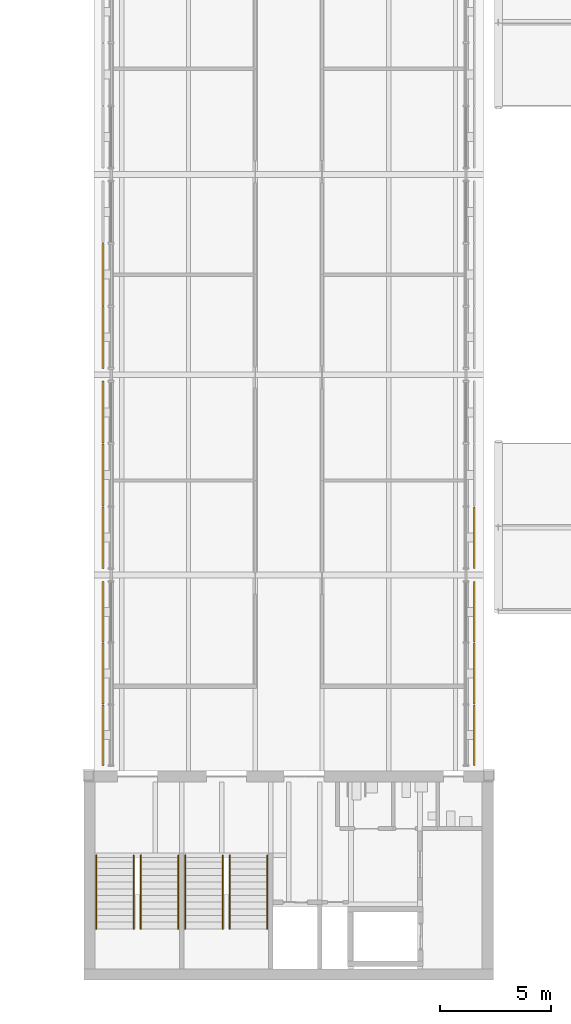
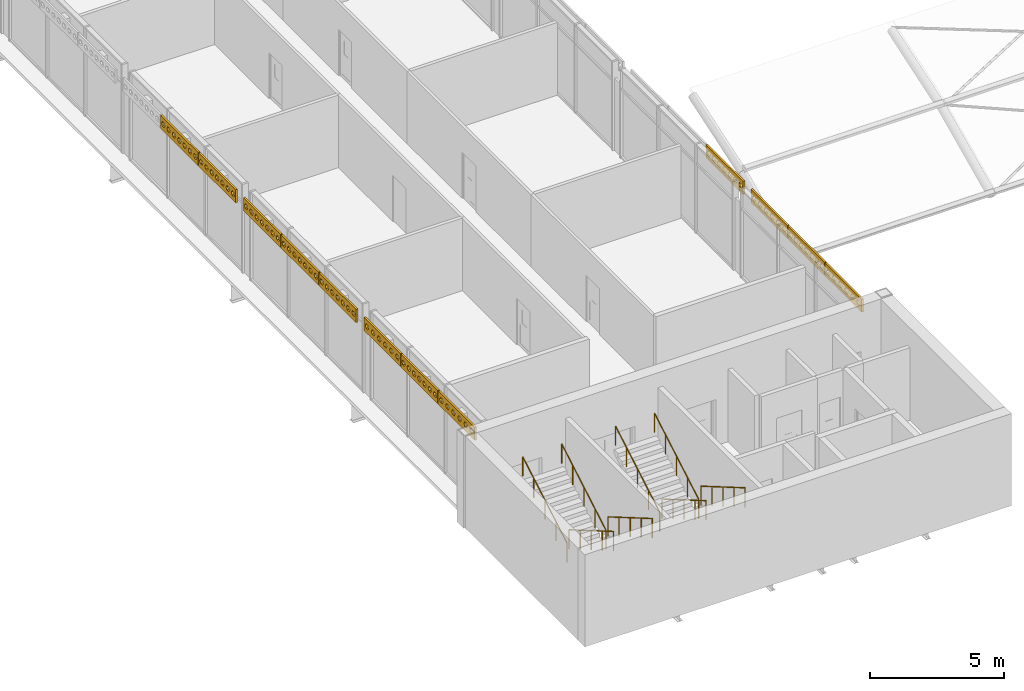
# One storey, part 43 of 54: 12 shading devices, 8 railings.
"""IFC4 building model written with IfcOpenShell, lengths in metres."""

from ifc_helpers import new_model, si_unit, direction, frame, origin, origin_2d, place, context, subcontext, project, spatial, polyline, circle, outline, extrude, material, layer, layer_set, type_object, element, save


model = new_model("IFC4")

# Units and contexts
model_context = context("Model", 3, precision=1e-05, world=origin(), true_north=direction((0.0, 1.0)))
body_context = subcontext(model_context, "Body", "Model", "MODEL_VIEW")
ifc_project = project(units=[si_unit("LENGTHUNIT", "METRE"), si_unit("AREAUNIT", "SQUARE_METRE"), si_unit("VOLUMEUNIT", "CUBIC_METRE"), si_unit("PLANEANGLEUNIT", "RADIAN"), si_unit("MASSUNIT", "GRAM", prefix="KILO")], contexts=[model_context])

# Site, building, storey
site_placement = place(None, origin())
site = spatial("IfcSite", under=ifc_project, at=site_placement, CompositionType="ELEMENT")
building_placement = place(site_placement, origin())
building = spatial("IfcBuilding", under=site, at=building_placement, Name="Baradari Gate Terminus", CompositionType="ELEMENT")
storey_placement = place(building_placement, frame((0.0, 0.0, 15.89990234375)))
storey = spatial("IfcBuildingStorey", under=building, at=storey_placement, Name="L03", CompositionType="ELEMENT", Elevation=15.89990234375)

# Railings
ifc_material_1 = material(Name="Stainless steel 1.4301", Category="steel")
railing_type = type_object("IfcRailingType", Name="Handrail HR-1 900", PredefinedType="HANDRAIL", material=ifc_material_1)
for number, where, name in (
    (1, (76.0400390625, 32.39990234375, 0.175048828125), "Handrail ST-GS1 L03 flight 1"),
    (2, (74.360107421875, 32.39990234375, 0.175048828125), "Handrail ST-GS1 L03 flight 1"),
):
    element("IfcRailing", number, at=place(storey_placement, frame(where)), inside=storey, type_object=railing_type, Name=name, PredefinedType="HANDRAIL", context=body_context, shape_type="SweptSolid", body=[
        extrude(circle(Radius=0.02392578125, at=origin_2d()), frame((0.0, 0.0, 0.8759765625), z_axis=(0.0, -0.863760357493, 0.503902812876), x_axis=(1.0, 0.0, 0.0)), (0.0, 0.0, 1.0), 3.8203125),
        extrude(circle(Radius=0.02099609375, at=origin_2d()), origin(), (0.0, 0.0, 1.0), 0.851806640625),
        extrude(circle(Radius=0.02099609375, at=origin_2d()), frame((0.0, -0.824951171875, 0.481201171875)), (0.0, 0.0, 1.0), 0.851806640625),
        extrude(circle(Radius=0.02099609375, at=origin_2d()), frame((0.0, -1.64990234375, 0.96240234375)), (0.0, 0.0, 1.0), 0.851806640625),
        extrude(circle(Radius=0.02099609375, at=origin_2d()), frame((0.0, -2.474853515625, 1.44384765625)), (0.0, 0.0, 1.0), 0.851806640625),
        extrude(circle(Radius=0.02099609375, at=origin_2d()), frame((0.0, -3.2998046875, 1.925048828125)), (0.0, 0.0, 1.0), 0.851806640625),
    ])
for number, where, name in (
    (3, (74.0400390625, 29.10009765625, 2.275146484375), "Handrail ST-GS1 L03 flight 2"),
    (4, (72.360107421875, 29.10009765625, 2.275146484375), "Handrail ST-GS1 L03 flight 2"),
):
    element("IfcRailing", number, at=place(storey_placement, frame(where)), inside=storey, type_object=railing_type, Name=name, PredefinedType="HANDRAIL", context=body_context, shape_type="SweptSolid", body=[
        extrude(circle(Radius=0.02392578125, at=origin_2d()), frame((0.0, 0.0, 0.8759765625), z_axis=(0.0, 0.863760357493, 0.503902812876), x_axis=(-1.0, 0.0, 0.0)), (0.0, 0.0, 1.0), 3.8203125),
        extrude(circle(Radius=0.02099609375, at=origin_2d()), origin(), (0.0, 0.0, 1.0), 0.851806640625),
        extrude(circle(Radius=0.02099609375, at=origin_2d()), frame((0.0, 0.824951171875, 0.481201171875)), (0.0, 0.0, 1.0), 0.851806640625),
        extrude(circle(Radius=0.02099609375, at=origin_2d()), frame((0.0, 1.64990234375, 0.96240234375)), (0.0, 0.0, 1.0), 0.851806640625),
        extrude(circle(Radius=0.02099609375, at=origin_2d()), frame((0.0, 2.474853515625, 1.44384765625)), (0.0, 0.0, 1.0), 0.851806640625),
        extrude(circle(Radius=0.02099609375, at=origin_2d()), frame((0.0, 3.2998046875, 1.925048828125)), (0.0, 0.0, 1.0), 0.851806640625),
    ])
for number, where, name in (
    (5, (80.0400390625, 32.39990234375, 0.175048828125), "Handrail ST-GS2 L03 flight 1"),
    (6, (78.360107421875, 32.39990234375, 0.175048828125), "Handrail ST-GS2 L03 flight 1"),
):
    element("IfcRailing", number, at=place(storey_placement, frame(where)), inside=storey, type_object=railing_type, Name=name, PredefinedType="HANDRAIL", context=body_context, shape_type="SweptSolid", body=[
        extrude(circle(Radius=0.02392578125, at=origin_2d()), frame((0.0, 0.0, 0.8759765625), z_axis=(0.0, -0.863760357493, 0.503902812876), x_axis=(1.0, 0.0, 0.0)), (0.0, 0.0, 1.0), 3.8203125),
        extrude(circle(Radius=0.02099609375, at=origin_2d()), origin(), (0.0, 0.0, 1.0), 0.851806640625),
        extrude(circle(Radius=0.02099609375, at=origin_2d()), frame((0.0, -0.824951171875, 0.481201171875)), (0.0, 0.0, 1.0), 0.851806640625),
        extrude(circle(Radius=0.02099609375, at=origin_2d()), frame((0.0, -1.64990234375, 0.96240234375)), (0.0, 0.0, 1.0), 0.851806640625),
        extrude(circle(Radius=0.02099609375, at=origin_2d()), frame((0.0, -2.474853515625, 1.44384765625)), (0.0, 0.0, 1.0), 0.851806640625),
        extrude(circle(Radius=0.02099609375, at=origin_2d()), frame((0.0, -3.2998046875, 1.925048828125)), (0.0, 0.0, 1.0), 0.851806640625),
    ])
for number, where, name in (
    (7, (78.0400390625, 29.10009765625, 2.275146484375), "Handrail ST-GS2 L03 flight 2"),
    (8, (76.360107421875, 29.10009765625, 2.275146484375), "Handrail ST-GS2 L03 flight 2"),
):
    element("IfcRailing", number, at=place(storey_placement, frame(where)), inside=storey, type_object=railing_type, Name=name, PredefinedType="HANDRAIL", context=body_context, shape_type="SweptSolid", body=[
        extrude(circle(Radius=0.02392578125, at=origin_2d()), frame((0.0, 0.0, 0.8759765625), z_axis=(0.0, 0.863760357493, 0.503902812876), x_axis=(-1.0, 0.0, 0.0)), (0.0, 0.0, 1.0), 3.8203125),
        extrude(circle(Radius=0.02099609375, at=origin_2d()), origin(), (0.0, 0.0, 1.0), 0.851806640625),
        extrude(circle(Radius=0.02099609375, at=origin_2d()), frame((0.0, 0.824951171875, 0.481201171875)), (0.0, 0.0, 1.0), 0.851806640625),
        extrude(circle(Radius=0.02099609375, at=origin_2d()), frame((0.0, 1.64990234375, 0.96240234375)), (0.0, 0.0, 1.0), 0.851806640625),
        extrude(circle(Radius=0.02099609375, at=origin_2d()), frame((0.0, 2.474853515625, 1.44384765625)), (0.0, 0.0, 1.0), 0.851806640625),
        extrude(circle(Radius=0.02099609375, at=origin_2d()), frame((0.0, 3.2998046875, 1.925048828125)), (0.0, 0.0, 1.0), 0.851806640625),
    ])

# Shading devices
ifc_material_2 = material(Name="Concrete C50/60 precast", Category="concrete")
ifc_layer = layer(ifc_material_2, 0.080078125)
ifc_layer_set = layer_set([ifc_layer], Name="Concrete C50/60 precast")
shading_device_type = type_object("IfcShadingDeviceType", Name="Jali screen panel JS-3 80", PredefinedType="SHUTTER", material=ifc_layer_set)
shading_device_1_placement = place(storey_placement, frame((72.659912109375, 36.43994140625, 3.280029296875), z_axis=(0.0, 0.0, 1.0), x_axis=(0.0, 1.0, 0.0)))
element("IfcShadingDevice", 9, at=shading_device_1_placement, inside=storey, type_object=shading_device_type, Name="Jali screen panel JS-1 L03/GW1 bay 1", PredefinedType="SHUTTER", context=body_context, shape_type="SweptSolid", body=[
    extrude(outline(polyline([(0.0, 0.0), (2.723388671875, 0.0), (2.723388671875, 0.60009765625), (0.0, 0.60009765625), (0.0, 0.0)]), holes=[polyline([(0.35693359375, 0.300048828125), (0.2919921875, 0.1875), (0.161865234375, 0.1875), (0.096923828125, 0.300048828125), (0.161865234375, 0.41259765625), (0.2919921875, 0.41259765625), (0.35693359375, 0.300048828125)]), polyline([(0.810791015625, 0.300048828125), (0.745849609375, 0.1875), (0.61572265625, 0.1875), (0.55078125, 0.300048828125), (0.61572265625, 0.41259765625), (0.745849609375, 0.41259765625), (0.810791015625, 0.300048828125)]), polyline([(1.2646484375, 0.300048828125), (1.19970703125, 0.1875), (1.06982421875, 0.1875), (1.004638671875, 0.300048828125), (1.06982421875, 0.41259765625), (1.19970703125, 0.41259765625), (1.2646484375, 0.300048828125)]), polyline([(1.718505859375, 0.300048828125), (1.653564453125, 0.1875), (1.523681640625, 0.1875), (1.45849609375, 0.300048828125), (1.523681640625, 0.41259765625), (1.653564453125, 0.41259765625), (1.718505859375, 0.300048828125)]), polyline([(2.172607421875, 0.300048828125), (2.107421875, 0.1875), (1.9775390625, 0.1875), (1.91259765625, 0.300048828125), (1.9775390625, 0.41259765625), (2.107421875, 0.41259765625), (2.172607421875, 0.300048828125)]), polyline([(2.62646484375, 0.300048828125), (2.561279296875, 0.1875), (2.431396484375, 0.1875), (2.366455078125, 0.300048828125), (2.431396484375, 0.41259765625), (2.561279296875, 0.41259765625), (2.62646484375, 0.300048828125)])]), frame((0.0, 0.0400390625, 0.0), z_axis=(0.0, -1.0, 0.0), x_axis=(1.0, 0.0, 0.0)), (0.0, 0.0, 1.0), 0.080078125),
])
shading_device_2_placement = place(storey_placement, frame((72.659912109375, 39.203369140625, 3.280029296875), z_axis=(0.0, 0.0, 1.0), x_axis=(0.0, 1.0, 0.0)))
element("IfcShadingDevice", 10, at=shading_device_2_placement, inside=storey, type_object=shading_device_type, Name="Jali screen panel JS-1 L03/GW1 bay 2", PredefinedType="SHUTTER", context=body_context, shape_type="SweptSolid", body=[
    extrude(outline(polyline([(0.0, 0.0), (2.743408203125, 0.0), (2.743408203125, 0.60009765625), (0.0, 0.60009765625), (0.0, 0.0)]), holes=[polyline([(0.325927734375, 0.300048828125), (0.260986328125, 0.1875), (0.130859375, 0.1875), (0.06591796875, 0.300048828125), (0.130859375, 0.41259765625), (0.260986328125, 0.41259765625), (0.325927734375, 0.300048828125)]), polyline([(0.7177734375, 0.300048828125), (0.65283203125, 0.1875), (0.52294921875, 0.1875), (0.457763671875, 0.300048828125), (0.52294921875, 0.41259765625), (0.65283203125, 0.41259765625), (0.7177734375, 0.300048828125)]), polyline([(1.10986328125, 0.300048828125), (1.044677734375, 0.1875), (0.914794921875, 0.1875), (0.849853515625, 0.300048828125), (0.914794921875, 0.41259765625), (1.044677734375, 0.41259765625), (1.10986328125, 0.300048828125)]), polyline([(1.501708984375, 0.300048828125), (1.436767578125, 0.1875), (1.306640625, 0.1875), (1.24169921875, 0.300048828125), (1.306640625, 0.41259765625), (1.436767578125, 0.41259765625), (1.501708984375, 0.300048828125)]), polyline([(1.8935546875, 0.300048828125), (1.82861328125, 0.1875), (1.698486328125, 0.1875), (1.633544921875, 0.300048828125), (1.698486328125, 0.41259765625), (1.82861328125, 0.41259765625), (1.8935546875, 0.300048828125)]), polyline([(2.285400390625, 0.300048828125), (2.220458984375, 0.1875), (2.090576171875, 0.1875), (2.025390625, 0.300048828125), (2.090576171875, 0.41259765625), (2.220458984375, 0.41259765625), (2.285400390625, 0.300048828125)]), polyline([(2.677490234375, 0.300048828125), (2.6123046875, 0.1875), (2.482421875, 0.1875), (2.41748046875, 0.300048828125), (2.482421875, 0.41259765625), (2.6123046875, 0.41259765625), (2.677490234375, 0.300048828125)])]), frame((0.0, 0.0400390625, 0.0), z_axis=(0.0, -1.0, 0.0), x_axis=(1.0, 0.0, 0.0)), (0.0, 0.0, 1.0), 0.080078125),
])
shading_device_3_placement = place(storey_placement, frame((72.659912109375, 41.986572265625, 3.280029296875), z_axis=(0.0, 0.0, 1.0), x_axis=(0.0, 1.0, 0.0)))
element("IfcShadingDevice", 11, at=shading_device_3_placement, inside=storey, type_object=shading_device_type, Name="Jali screen panel JS-1 L03/GW1 bay 3", PredefinedType="SHUTTER", context=body_context, shape_type="SweptSolid", body=[
    extrude(outline(polyline([(0.0, 0.0), (2.723388671875, 0.0), (2.723388671875, 0.60009765625), (0.0, 0.60009765625), (0.0, 0.0)]), holes=[polyline([(0.35693359375, 0.300048828125), (0.2919921875, 0.1875), (0.161865234375, 0.1875), (0.096923828125, 0.300048828125), (0.161865234375, 0.41259765625), (0.2919921875, 0.41259765625), (0.35693359375, 0.300048828125)]), polyline([(0.810791015625, 0.300048828125), (0.745849609375, 0.1875), (0.61572265625, 0.1875), (0.55078125, 0.300048828125), (0.61572265625, 0.41259765625), (0.745849609375, 0.41259765625), (0.810791015625, 0.300048828125)]), polyline([(1.2646484375, 0.300048828125), (1.19970703125, 0.1875), (1.06982421875, 0.1875), (1.004638671875, 0.300048828125), (1.06982421875, 0.41259765625), (1.19970703125, 0.41259765625), (1.2646484375, 0.300048828125)]), polyline([(1.718505859375, 0.300048828125), (1.653564453125, 0.1875), (1.523681640625, 0.1875), (1.45849609375, 0.300048828125), (1.523681640625, 0.41259765625), (1.653564453125, 0.41259765625), (1.718505859375, 0.300048828125)]), polyline([(2.172607421875, 0.300048828125), (2.107421875, 0.1875), (1.9775390625, 0.1875), (1.91259765625, 0.300048828125), (1.9775390625, 0.41259765625), (2.107421875, 0.41259765625), (2.172607421875, 0.300048828125)]), polyline([(2.62646484375, 0.300048828125), (2.561279296875, 0.1875), (2.431396484375, 0.1875), (2.366455078125, 0.300048828125), (2.431396484375, 0.41259765625), (2.561279296875, 0.41259765625), (2.62646484375, 0.300048828125)])]), frame((0.0, 0.0400390625, 0.0), z_axis=(0.0, -1.0, 0.0), x_axis=(1.0, 0.0, 0.0)), (0.0, 0.0, 1.0), 0.080078125),
])
shading_device_4_placement = place(storey_placement, frame((72.659912109375, 45.2900390625, 3.280029296875), z_axis=(0.0, 0.0, 1.0), x_axis=(0.0, 1.0, 0.0)))
element("IfcShadingDevice", 12, at=shading_device_4_placement, inside=storey, type_object=shading_device_type, Name="Jali screen panel JS-1 L03/GW2 bay 1", PredefinedType="SHUTTER", context=body_context, shape_type="SweptSolid", body=[
    extrude(outline(polyline([(0.0, 0.0), (2.773193359375, 0.0), (2.773193359375, 0.60009765625), (0.0, 0.60009765625), (0.0, 0.0)]), holes=[polyline([(0.328125, 0.300048828125), (0.26318359375, 0.1875), (0.133056640625, 0.1875), (0.068115234375, 0.300048828125), (0.133056640625, 0.41259765625), (0.26318359375, 0.41259765625), (0.328125, 0.300048828125)]), polyline([(0.724365234375, 0.300048828125), (0.6591796875, 0.1875), (0.529296875, 0.1875), (0.46435546875, 0.300048828125), (0.529296875, 0.41259765625), (0.6591796875, 0.41259765625), (0.724365234375, 0.300048828125)]), polyline([(1.120361328125, 0.300048828125), (1.055419921875, 0.1875), (0.925537109375, 0.1875), (0.860595703125, 0.300048828125), (0.925537109375, 0.41259765625), (1.055419921875, 0.41259765625), (1.120361328125, 0.300048828125)]), polyline([(1.5166015625, 0.300048828125), (1.45166015625, 0.1875), (1.32177734375, 0.1875), (1.256591796875, 0.300048828125), (1.32177734375, 0.41259765625), (1.45166015625, 0.41259765625), (1.5166015625, 0.300048828125)]), polyline([(1.912841796875, 0.300048828125), (1.847900390625, 0.1875), (1.7177734375, 0.1875), (1.65283203125, 0.300048828125), (1.7177734375, 0.41259765625), (1.847900390625, 0.41259765625), (1.912841796875, 0.300048828125)]), polyline([(2.30908203125, 0.300048828125), (2.244140625, 0.1875), (2.114013671875, 0.1875), (2.049072265625, 0.300048828125), (2.114013671875, 0.41259765625), (2.244140625, 0.41259765625), (2.30908203125, 0.300048828125)]), polyline([(2.705322265625, 0.300048828125), (2.64013671875, 0.1875), (2.51025390625, 0.1875), (2.4453125, 0.300048828125), (2.51025390625, 0.41259765625), (2.64013671875, 0.41259765625), (2.705322265625, 0.300048828125)])]), frame((0.0, 0.0400390625, 0.0), z_axis=(0.0, -1.0, 0.0), x_axis=(1.0, 0.0, 0.0)), (0.0, 0.0, 1.0), 0.080078125),
])
shading_device_5_placement = place(storey_placement, frame((72.659912109375, 48.103271484375, 3.280029296875), z_axis=(0.0, 0.0, 1.0), x_axis=(0.0, 1.0, 0.0)))
element("IfcShadingDevice", 13, at=shading_device_5_placement, inside=storey, type_object=shading_device_type, Name="Jali screen panel JS-1 L03/GW2 bay 2", PredefinedType="SHUTTER", context=body_context, shape_type="SweptSolid", body=[
    extrude(outline(polyline([(0.0, 0.0), (2.79345703125, 0.0), (2.79345703125, 0.60009765625), (0.0, 0.60009765625), (0.0, 0.0)]), holes=[polyline([(0.32958984375, 0.300048828125), (0.264404296875, 0.1875), (0.134521484375, 0.1875), (0.069580078125, 0.300048828125), (0.134521484375, 0.41259765625), (0.264404296875, 0.41259765625), (0.32958984375, 0.300048828125)]), polyline([(0.728515625, 0.300048828125), (0.66357421875, 0.1875), (0.53369140625, 0.1875), (0.468505859375, 0.300048828125), (0.53369140625, 0.41259765625), (0.66357421875, 0.41259765625), (0.728515625, 0.300048828125)]), polyline([(1.127685546875, 0.300048828125), (1.0625, 0.1875), (0.9326171875, 0.1875), (0.86767578125, 0.300048828125), (0.9326171875, 0.41259765625), (1.0625, 0.41259765625), (1.127685546875, 0.300048828125)]), polyline([(1.526611328125, 0.300048828125), (1.461669921875, 0.1875), (1.331787109375, 0.1875), (1.2666015625, 0.300048828125), (1.331787109375, 0.41259765625), (1.461669921875, 0.41259765625), (1.526611328125, 0.300048828125)]), polyline([(1.92578125, 0.300048828125), (1.860595703125, 0.1875), (1.730712890625, 0.1875), (1.665771484375, 0.300048828125), (1.730712890625, 0.41259765625), (1.860595703125, 0.41259765625), (1.92578125, 0.300048828125)]), polyline([(2.32470703125, 0.300048828125), (2.259765625, 0.1875), (2.1298828125, 0.1875), (2.064697265625, 0.300048828125), (2.1298828125, 0.41259765625), (2.259765625, 0.41259765625), (2.32470703125, 0.300048828125)]), polyline([(2.723876953125, 0.300048828125), (2.65869140625, 0.1875), (2.52880859375, 0.1875), (2.4638671875, 0.300048828125), (2.52880859375, 0.41259765625), (2.65869140625, 0.41259765625), (2.723876953125, 0.300048828125)])]), frame((0.0, 0.0400390625, 0.0), z_axis=(0.0, -1.0, 0.0), x_axis=(1.0, 0.0, 0.0)), (0.0, 0.0, 1.0), 0.080078125),
])
shading_device_6_placement = place(storey_placement, frame((72.659912109375, 50.936767578125, 3.280029296875), z_axis=(0.0, 0.0, 1.0), x_axis=(0.0, 1.0, 0.0)))
element("IfcShadingDevice", 14, at=shading_device_6_placement, inside=storey, type_object=shading_device_type, Name="Jali screen panel JS-1 L03/GW2 bay 3", PredefinedType="SHUTTER", context=body_context, shape_type="SweptSolid", body=[
    extrude(outline(polyline([(0.0, 0.0), (2.773193359375, 0.0), (2.773193359375, 0.60009765625), (0.0, 0.60009765625), (0.0, 0.0)]), holes=[polyline([(0.328125, 0.300048828125), (0.26318359375, 0.1875), (0.133056640625, 0.1875), (0.068115234375, 0.300048828125), (0.133056640625, 0.41259765625), (0.26318359375, 0.41259765625), (0.328125, 0.300048828125)]), polyline([(0.724365234375, 0.300048828125), (0.6591796875, 0.1875), (0.529296875, 0.1875), (0.46435546875, 0.300048828125), (0.529296875, 0.41259765625), (0.6591796875, 0.41259765625), (0.724365234375, 0.300048828125)]), polyline([(1.120361328125, 0.300048828125), (1.055419921875, 0.1875), (0.925537109375, 0.1875), (0.860595703125, 0.300048828125), (0.925537109375, 0.41259765625), (1.055419921875, 0.41259765625), (1.120361328125, 0.300048828125)]), polyline([(1.5166015625, 0.300048828125), (1.45166015625, 0.1875), (1.32177734375, 0.1875), (1.256591796875, 0.300048828125), (1.32177734375, 0.41259765625), (1.45166015625, 0.41259765625), (1.5166015625, 0.300048828125)]), polyline([(1.912841796875, 0.300048828125), (1.847900390625, 0.1875), (1.7177734375, 0.1875), (1.65283203125, 0.300048828125), (1.7177734375, 0.41259765625), (1.847900390625, 0.41259765625), (1.912841796875, 0.300048828125)]), polyline([(2.30908203125, 0.300048828125), (2.244140625, 0.1875), (2.114013671875, 0.1875), (2.049072265625, 0.300048828125), (2.114013671875, 0.41259765625), (2.244140625, 0.41259765625), (2.30908203125, 0.300048828125)]), polyline([(2.705322265625, 0.300048828125), (2.64013671875, 0.1875), (2.51025390625, 0.1875), (2.4453125, 0.300048828125), (2.51025390625, 0.41259765625), (2.64013671875, 0.41259765625), (2.705322265625, 0.300048828125)])]), frame((0.0, 0.0400390625, 0.0), z_axis=(0.0, -1.0, 0.0), x_axis=(1.0, 0.0, 0.0)), (0.0, 0.0, 1.0), 0.080078125),
])
shading_device_7_placement = place(storey_placement, frame((72.659912109375, 54.2900390625, 3.280029296875), z_axis=(0.0, 0.0, 1.0), x_axis=(0.0, 1.0, 0.0)))
element("IfcShadingDevice", 15, at=shading_device_7_placement, inside=storey, type_object=shading_device_type, Name="Jali screen panel JS-1 L03/GW3 bay 1", PredefinedType="SHUTTER", context=body_context, shape_type="SweptSolid", body=[
    extrude(outline(polyline([(0.0, 0.0), (2.773193359375, 0.0), (2.773193359375, 0.60009765625), (0.0, 0.60009765625), (0.0, 0.0)]), holes=[polyline([(0.328125, 0.300048828125), (0.26318359375, 0.1875), (0.133056640625, 0.1875), (0.068115234375, 0.300048828125), (0.133056640625, 0.41259765625), (0.26318359375, 0.41259765625), (0.328125, 0.300048828125)]), polyline([(0.724365234375, 0.300048828125), (0.6591796875, 0.1875), (0.529296875, 0.1875), (0.46435546875, 0.300048828125), (0.529296875, 0.41259765625), (0.6591796875, 0.41259765625), (0.724365234375, 0.300048828125)]), polyline([(1.120361328125, 0.300048828125), (1.055419921875, 0.1875), (0.925537109375, 0.1875), (0.860595703125, 0.300048828125), (0.925537109375, 0.41259765625), (1.055419921875, 0.41259765625), (1.120361328125, 0.300048828125)]), polyline([(1.5166015625, 0.300048828125), (1.45166015625, 0.1875), (1.32177734375, 0.1875), (1.256591796875, 0.300048828125), (1.32177734375, 0.41259765625), (1.45166015625, 0.41259765625), (1.5166015625, 0.300048828125)]), polyline([(1.912841796875, 0.300048828125), (1.847900390625, 0.1875), (1.7177734375, 0.1875), (1.65283203125, 0.300048828125), (1.7177734375, 0.41259765625), (1.847900390625, 0.41259765625), (1.912841796875, 0.300048828125)]), polyline([(2.30908203125, 0.300048828125), (2.244140625, 0.1875), (2.114013671875, 0.1875), (2.049072265625, 0.300048828125), (2.114013671875, 0.41259765625), (2.244140625, 0.41259765625), (2.30908203125, 0.300048828125)]), polyline([(2.705322265625, 0.300048828125), (2.64013671875, 0.1875), (2.51025390625, 0.1875), (2.4453125, 0.300048828125), (2.51025390625, 0.41259765625), (2.64013671875, 0.41259765625), (2.705322265625, 0.300048828125)])]), frame((0.0, 0.0400390625, 0.0), z_axis=(0.0, -1.0, 0.0), x_axis=(1.0, 0.0, 0.0)), (0.0, 0.0, 1.0), 0.080078125),
])
shading_device_8_placement = place(storey_placement, frame((72.659912109375, 57.103271484375, 3.280029296875), z_axis=(0.0, 0.0, 1.0), x_axis=(0.0, 1.0, 0.0)))
element("IfcShadingDevice", 16, at=shading_device_8_placement, inside=storey, type_object=shading_device_type, Name="Jali screen panel JS-1 L03/GW3 bay 2", PredefinedType="SHUTTER", context=body_context, shape_type="SweptSolid", body=[
    extrude(outline(polyline([(0.0, 0.0), (2.79345703125, 0.0), (2.79345703125, 0.60009765625), (0.0, 0.60009765625), (0.0, 0.0)]), holes=[polyline([(0.32958984375, 0.300048828125), (0.264404296875, 0.1875), (0.134521484375, 0.1875), (0.069580078125, 0.300048828125), (0.134521484375, 0.41259765625), (0.264404296875, 0.41259765625), (0.32958984375, 0.300048828125)]), polyline([(0.728515625, 0.300048828125), (0.66357421875, 0.1875), (0.53369140625, 0.1875), (0.468505859375, 0.300048828125), (0.53369140625, 0.41259765625), (0.66357421875, 0.41259765625), (0.728515625, 0.300048828125)]), polyline([(1.127685546875, 0.300048828125), (1.0625, 0.1875), (0.9326171875, 0.1875), (0.86767578125, 0.300048828125), (0.9326171875, 0.41259765625), (1.0625, 0.41259765625), (1.127685546875, 0.300048828125)]), polyline([(1.526611328125, 0.300048828125), (1.461669921875, 0.1875), (1.331787109375, 0.1875), (1.2666015625, 0.300048828125), (1.331787109375, 0.41259765625), (1.461669921875, 0.41259765625), (1.526611328125, 0.300048828125)]), polyline([(1.92578125, 0.300048828125), (1.860595703125, 0.1875), (1.730712890625, 0.1875), (1.665771484375, 0.300048828125), (1.730712890625, 0.41259765625), (1.860595703125, 0.41259765625), (1.92578125, 0.300048828125)]), polyline([(2.32470703125, 0.300048828125), (2.259765625, 0.1875), (2.1298828125, 0.1875), (2.064697265625, 0.300048828125), (2.1298828125, 0.41259765625), (2.259765625, 0.41259765625), (2.32470703125, 0.300048828125)]), polyline([(2.723876953125, 0.300048828125), (2.65869140625, 0.1875), (2.52880859375, 0.1875), (2.4638671875, 0.300048828125), (2.52880859375, 0.41259765625), (2.65869140625, 0.41259765625), (2.723876953125, 0.300048828125)])]), frame((0.0, 0.0400390625, 0.0), z_axis=(0.0, -1.0, 0.0), x_axis=(1.0, 0.0, 0.0)), (0.0, 0.0, 1.0), 0.080078125),
])
shading_device_9_placement = place(storey_placement, frame((89.340087890625, 36.43994140625, 3.280029296875), z_axis=(0.0, 0.0, 1.0), x_axis=(0.0, 1.0, 0.0)))
element("IfcShadingDevice", 17, at=shading_device_9_placement, inside=storey, type_object=shading_device_type, Name="Jali screen panel JS-1 L03/GE1 bay 1", PredefinedType="SHUTTER", context=body_context, shape_type="SweptSolid", body=[
    extrude(outline(polyline([(0.0, 0.0), (2.723388671875, 0.0), (2.723388671875, 0.60009765625), (0.0, 0.60009765625), (0.0, 0.0)]), holes=[polyline([(0.35693359375, 0.300048828125), (0.2919921875, 0.1875), (0.161865234375, 0.1875), (0.096923828125, 0.300048828125), (0.161865234375, 0.41259765625), (0.2919921875, 0.41259765625), (0.35693359375, 0.300048828125)]), polyline([(0.810791015625, 0.300048828125), (0.745849609375, 0.1875), (0.61572265625, 0.1875), (0.55078125, 0.300048828125), (0.61572265625, 0.41259765625), (0.745849609375, 0.41259765625), (0.810791015625, 0.300048828125)]), polyline([(1.2646484375, 0.300048828125), (1.19970703125, 0.1875), (1.06982421875, 0.1875), (1.004638671875, 0.300048828125), (1.06982421875, 0.41259765625), (1.19970703125, 0.41259765625), (1.2646484375, 0.300048828125)]), polyline([(1.718505859375, 0.300048828125), (1.653564453125, 0.1875), (1.523681640625, 0.1875), (1.45849609375, 0.300048828125), (1.523681640625, 0.41259765625), (1.653564453125, 0.41259765625), (1.718505859375, 0.300048828125)]), polyline([(2.172607421875, 0.300048828125), (2.107421875, 0.1875), (1.9775390625, 0.1875), (1.91259765625, 0.300048828125), (1.9775390625, 0.41259765625), (2.107421875, 0.41259765625), (2.172607421875, 0.300048828125)]), polyline([(2.62646484375, 0.300048828125), (2.561279296875, 0.1875), (2.431396484375, 0.1875), (2.366455078125, 0.300048828125), (2.431396484375, 0.41259765625), (2.561279296875, 0.41259765625), (2.62646484375, 0.300048828125)])]), frame((0.0, 0.0400390625, 0.0), z_axis=(0.0, -1.0, 0.0), x_axis=(1.0, 0.0, 0.0)), (0.0, 0.0, 1.0), 0.080078125),
])
shading_device_10_placement = place(storey_placement, frame((89.340087890625, 39.203369140625, 3.280029296875), z_axis=(0.0, 0.0, 1.0), x_axis=(0.0, 1.0, 0.0)))
element("IfcShadingDevice", 18, at=shading_device_10_placement, inside=storey, type_object=shading_device_type, Name="Jali screen panel JS-1 L03/GE1 bay 2", PredefinedType="SHUTTER", context=body_context, shape_type="SweptSolid", body=[
    extrude(outline(polyline([(0.0, 0.0), (2.743408203125, 0.0), (2.743408203125, 0.60009765625), (0.0, 0.60009765625), (0.0, 0.0)]), holes=[polyline([(0.325927734375, 0.300048828125), (0.260986328125, 0.1875), (0.130859375, 0.1875), (0.06591796875, 0.300048828125), (0.130859375, 0.41259765625), (0.260986328125, 0.41259765625), (0.325927734375, 0.300048828125)]), polyline([(0.7177734375, 0.300048828125), (0.65283203125, 0.1875), (0.52294921875, 0.1875), (0.457763671875, 0.300048828125), (0.52294921875, 0.41259765625), (0.65283203125, 0.41259765625), (0.7177734375, 0.300048828125)]), polyline([(1.10986328125, 0.300048828125), (1.044677734375, 0.1875), (0.914794921875, 0.1875), (0.849853515625, 0.300048828125), (0.914794921875, 0.41259765625), (1.044677734375, 0.41259765625), (1.10986328125, 0.300048828125)]), polyline([(1.501708984375, 0.300048828125), (1.436767578125, 0.1875), (1.306640625, 0.1875), (1.24169921875, 0.300048828125), (1.306640625, 0.41259765625), (1.436767578125, 0.41259765625), (1.501708984375, 0.300048828125)]), polyline([(1.8935546875, 0.300048828125), (1.82861328125, 0.1875), (1.698486328125, 0.1875), (1.633544921875, 0.300048828125), (1.698486328125, 0.41259765625), (1.82861328125, 0.41259765625), (1.8935546875, 0.300048828125)]), polyline([(2.285400390625, 0.300048828125), (2.220458984375, 0.1875), (2.090576171875, 0.1875), (2.025390625, 0.300048828125), (2.090576171875, 0.41259765625), (2.220458984375, 0.41259765625), (2.285400390625, 0.300048828125)]), polyline([(2.677490234375, 0.300048828125), (2.6123046875, 0.1875), (2.482421875, 0.1875), (2.41748046875, 0.300048828125), (2.482421875, 0.41259765625), (2.6123046875, 0.41259765625), (2.677490234375, 0.300048828125)])]), frame((0.0, 0.0400390625, 0.0), z_axis=(0.0, -1.0, 0.0), x_axis=(1.0, 0.0, 0.0)), (0.0, 0.0, 1.0), 0.080078125),
])
shading_device_11_placement = place(storey_placement, frame((89.340087890625, 41.986572265625, 3.280029296875), z_axis=(0.0, 0.0, 1.0), x_axis=(0.0, 1.0, 0.0)))
element("IfcShadingDevice", 19, at=shading_device_11_placement, inside=storey, type_object=shading_device_type, Name="Jali screen panel JS-1 L03/GE1 bay 3", PredefinedType="SHUTTER", context=body_context, shape_type="SweptSolid", body=[
    extrude(outline(polyline([(0.0, 0.0), (2.723388671875, 0.0), (2.723388671875, 0.60009765625), (0.0, 0.60009765625), (0.0, 0.0)]), holes=[polyline([(0.35693359375, 0.300048828125), (0.2919921875, 0.1875), (0.161865234375, 0.1875), (0.096923828125, 0.300048828125), (0.161865234375, 0.41259765625), (0.2919921875, 0.41259765625), (0.35693359375, 0.300048828125)]), polyline([(0.810791015625, 0.300048828125), (0.745849609375, 0.1875), (0.61572265625, 0.1875), (0.55078125, 0.300048828125), (0.61572265625, 0.41259765625), (0.745849609375, 0.41259765625), (0.810791015625, 0.300048828125)]), polyline([(1.2646484375, 0.300048828125), (1.19970703125, 0.1875), (1.06982421875, 0.1875), (1.004638671875, 0.300048828125), (1.06982421875, 0.41259765625), (1.19970703125, 0.41259765625), (1.2646484375, 0.300048828125)]), polyline([(1.718505859375, 0.300048828125), (1.653564453125, 0.1875), (1.523681640625, 0.1875), (1.45849609375, 0.300048828125), (1.523681640625, 0.41259765625), (1.653564453125, 0.41259765625), (1.718505859375, 0.300048828125)]), polyline([(2.172607421875, 0.300048828125), (2.107421875, 0.1875), (1.9775390625, 0.1875), (1.91259765625, 0.300048828125), (1.9775390625, 0.41259765625), (2.107421875, 0.41259765625), (2.172607421875, 0.300048828125)]), polyline([(2.62646484375, 0.300048828125), (2.561279296875, 0.1875), (2.431396484375, 0.1875), (2.366455078125, 0.300048828125), (2.431396484375, 0.41259765625), (2.561279296875, 0.41259765625), (2.62646484375, 0.300048828125)])]), frame((0.0, 0.0400390625, 0.0), z_axis=(0.0, -1.0, 0.0), x_axis=(1.0, 0.0, 0.0)), (0.0, 0.0, 1.0), 0.080078125),
])
shading_device_12_placement = place(storey_placement, frame((89.340087890625, 45.2900390625, 3.280029296875), z_axis=(0.0, 0.0, 1.0), x_axis=(0.0, 1.0, 0.0)))
element("IfcShadingDevice", 20, at=shading_device_12_placement, inside=storey, type_object=shading_device_type, Name="Jali screen panel JS-1 L03/GE2 bay 1", PredefinedType="SHUTTER", context=body_context, shape_type="SweptSolid", body=[
    extrude(outline(polyline([(0.0, 0.0), (2.773193359375, 0.0), (2.773193359375, 0.60009765625), (0.0, 0.60009765625), (0.0, 0.0)]), holes=[polyline([(0.328125, 0.300048828125), (0.26318359375, 0.1875), (0.133056640625, 0.1875), (0.068115234375, 0.300048828125), (0.133056640625, 0.41259765625), (0.26318359375, 0.41259765625), (0.328125, 0.300048828125)]), polyline([(0.724365234375, 0.300048828125), (0.6591796875, 0.1875), (0.529296875, 0.1875), (0.46435546875, 0.300048828125), (0.529296875, 0.41259765625), (0.6591796875, 0.41259765625), (0.724365234375, 0.300048828125)]), polyline([(1.120361328125, 0.300048828125), (1.055419921875, 0.1875), (0.925537109375, 0.1875), (0.860595703125, 0.300048828125), (0.925537109375, 0.41259765625), (1.055419921875, 0.41259765625), (1.120361328125, 0.300048828125)]), polyline([(1.5166015625, 0.300048828125), (1.45166015625, 0.1875), (1.32177734375, 0.1875), (1.256591796875, 0.300048828125), (1.32177734375, 0.41259765625), (1.45166015625, 0.41259765625), (1.5166015625, 0.300048828125)]), polyline([(1.912841796875, 0.300048828125), (1.847900390625, 0.1875), (1.7177734375, 0.1875), (1.65283203125, 0.300048828125), (1.7177734375, 0.41259765625), (1.847900390625, 0.41259765625), (1.912841796875, 0.300048828125)]), polyline([(2.30908203125, 0.300048828125), (2.244140625, 0.1875), (2.114013671875, 0.1875), (2.049072265625, 0.300048828125), (2.114013671875, 0.41259765625), (2.244140625, 0.41259765625), (2.30908203125, 0.300048828125)]), polyline([(2.705322265625, 0.300048828125), (2.64013671875, 0.1875), (2.51025390625, 0.1875), (2.4453125, 0.300048828125), (2.51025390625, 0.41259765625), (2.64013671875, 0.41259765625), (2.705322265625, 0.300048828125)])]), frame((0.0, 0.0400390625, 0.0), z_axis=(0.0, -1.0, 0.0), x_axis=(1.0, 0.0, 0.0)), (0.0, 0.0, 1.0), 0.080078125),
])

save(model, "model.ifc")
